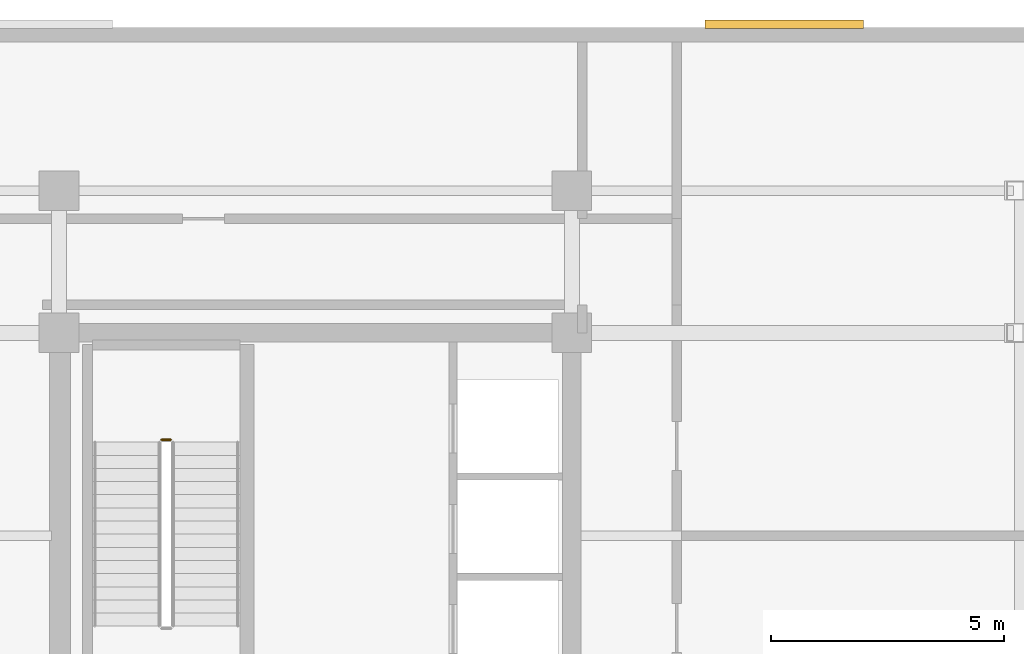
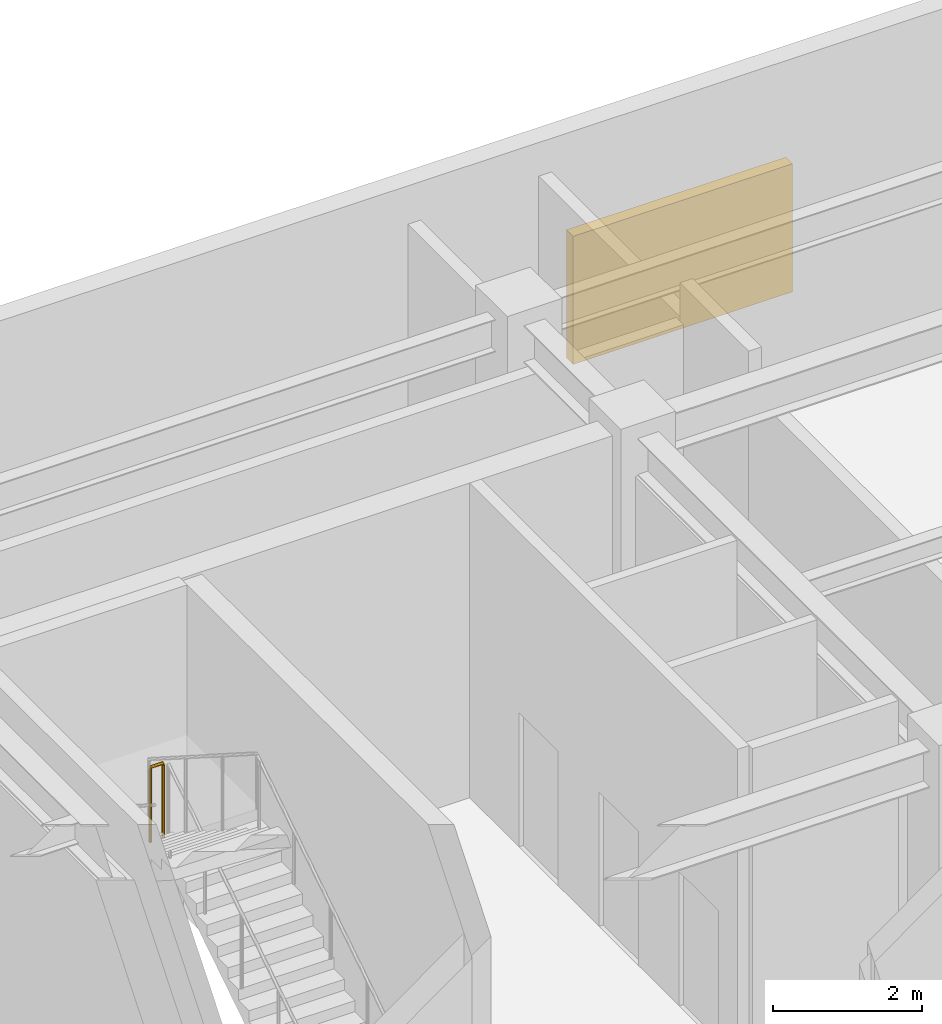
# One storey, part 12 of 12: 1 railing, 1 shading device.
"""IFC4 building model written with IfcOpenShell, lengths in metres."""

from ifc_helpers import new_model, si_unit, direction, frame, origin, origin_2d, place, context, subcontext, project, spatial, rectangle, circle, extrude, material, layer, layer_set, type_object, element, save


model = new_model("IFC4")

# Units and contexts
model_context = context("Model", 3, precision=1e-05, world=origin(), true_north=direction((0.0, 1.0)))
body_context = subcontext(model_context, "Body", "Model", "MODEL_VIEW")
ifc_project = project(units=[si_unit("LENGTHUNIT", "METRE"), si_unit("AREAUNIT", "SQUARE_METRE"), si_unit("VOLUMEUNIT", "CUBIC_METRE"), si_unit("PLANEANGLEUNIT", "RADIAN"), si_unit("MASSUNIT", "GRAM", prefix="KILO")], contexts=[model_context])

# Site, building, storey
site_placement = place(None, origin())
site = spatial("IfcSite", under=ifc_project, at=site_placement, CompositionType="ELEMENT")
building_placement = place(site_placement, origin())
building = spatial("IfcBuilding", under=site, at=building_placement, Name="Ochreholt Gables", CompositionType="ELEMENT")
storey_placement = place(building_placement, frame((0.0, 0.0, 135.60009765625)))
storey = spatial("IfcBuildingStorey", under=building, at=storey_placement, Name="L35", CompositionType="ELEMENT", Elevation=135.60009765625)

# Railing
ifc_material_1 = material(Name="Painted Steel Stair Guardrail", Category="steel")
railing_type = type_object("IfcRailingType", Name="RL-ST-GUARD", PredefinedType="GUARDRAIL", material=ifc_material_1)
railing_placement = place(storey_placement, frame((26.60009765625, 36.4580078125, 2.699951171875)))
element("IfcRailing", 1, at=railing_placement, inside=storey, type_object=railing_type, Name="L35 ST-2 stair guard 2", PredefinedType="GUARDRAIL", context=body_context, shape_type="SweptSolid", body=[
    extrude(circle(Radius=0.02392578125, at=origin_2d()), frame((0.0, 0.0, 1.22607421875), z_axis=(-1.0, 0.0, 0.0), x_axis=(0.0, -1.0, 0.0)), (0.0, 0.0, 1.0), 0.2001953125),
    extrude(circle(Radius=0.02099609375, at=origin_2d()), origin(), (0.0, 0.0, 1.0), 1.201904296875),
    extrude(circle(Radius=0.02099609375, at=origin_2d()), frame((-0.2001953125, 0.0, 0.0)), (0.0, 0.0, 1.0), 1.201904296875),
])

# Shading device
ifc_material_2 = material(Name="Anodized Aluminium Acoustic Weather Louvre", Category="aluminium")
ifc_layer = layer(ifc_material_2, 0.179931640625, Name="Anodized Aluminium Acoustic Weather Louvre")
ifc_layer_set = layer_set([ifc_layer], Name="Anodized Aluminium Acoustic Weather Louvre")
shading_device_type = type_object("IfcShadingDeviceType", Name="SHD-LOUVRE", PredefinedType="JALOUSIE", material=ifc_layer_set)
shading_device_placement = place(storey_placement, frame((39.751953125, 45.3701171875, 1.099853515625), z_axis=(0.0, 0.0, 1.0), x_axis=(-1.0, 0.0, 0.0)))
element("IfcShadingDevice", 2, at=shading_device_placement, inside=storey, type_object=shading_device_type, Name="L35 Acoustic Plant Louvre North-1", PredefinedType="JALOUSIE", context=body_context, shape_type="SweptSolid", body=[
    extrude(rectangle(XDim=3.39990234375, YDim=0.179931640625, at=origin_2d()), origin(), (0.0, 0.0, 1.0), 2.10009765625),
])

save(model, "model.ifc")
